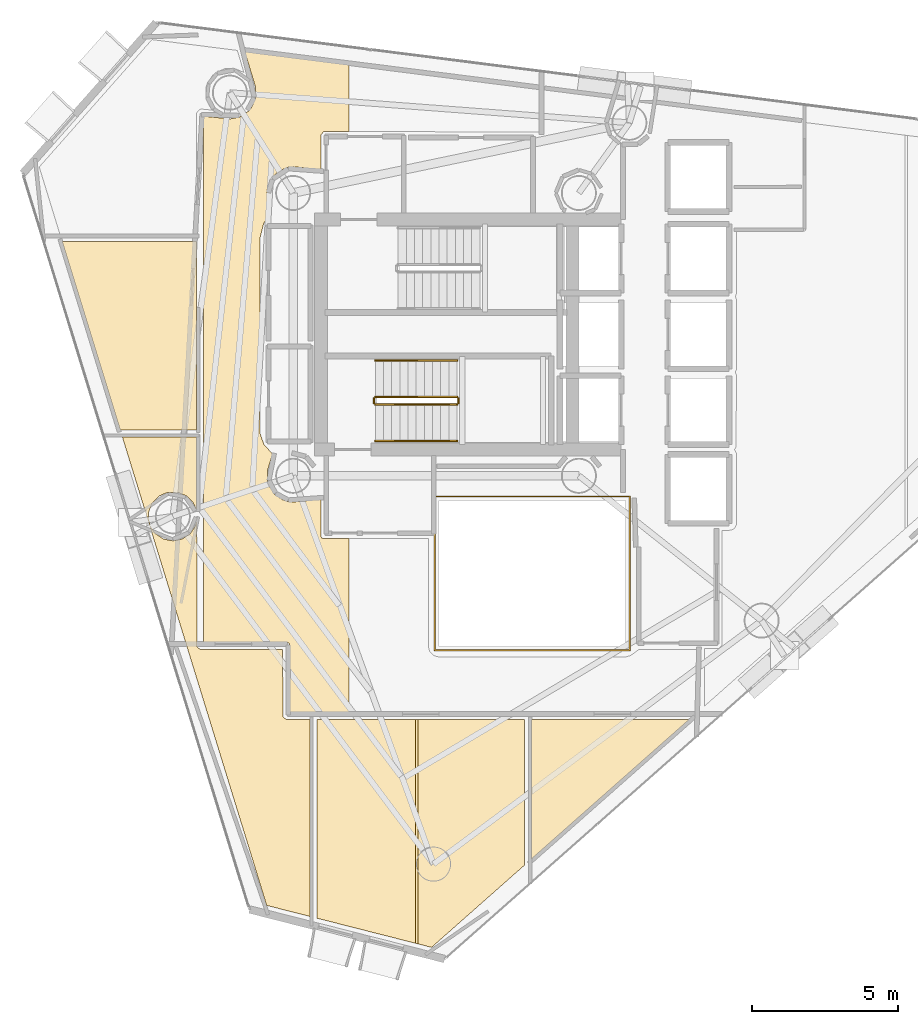
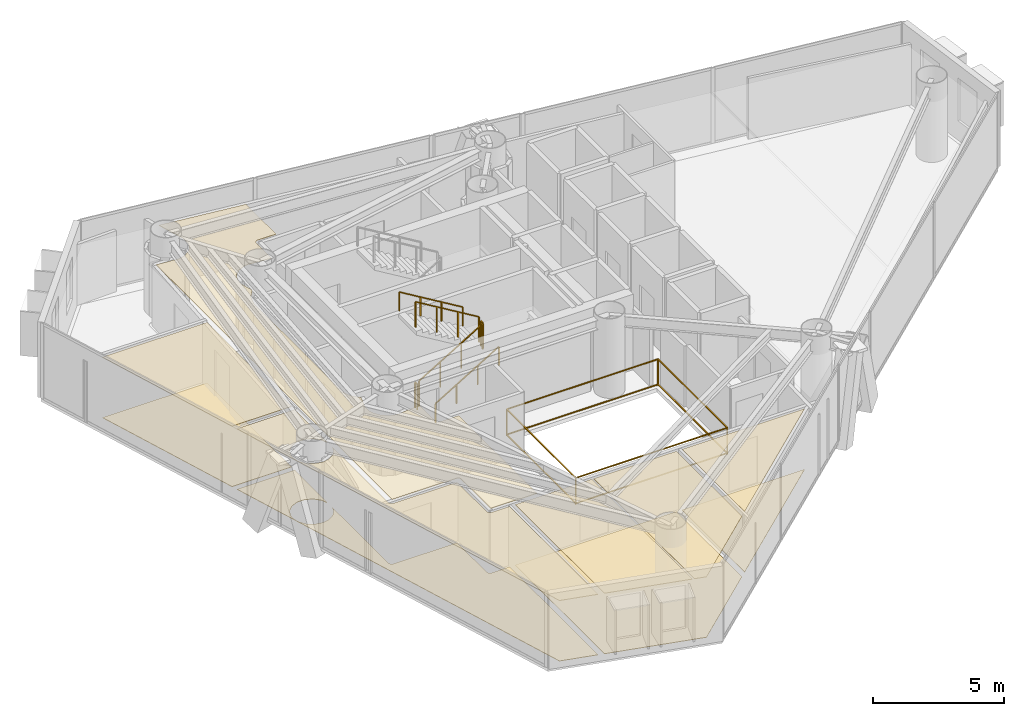
# One storey, part 21 of 23: 10 coverings, 7 railings.
"""IFC4 building model written with IfcOpenShell, lengths in metres."""

from ifc_helpers import new_model, si_unit, direction, frame, origin, origin_2d, place, context, subcontext, project, spatial, polyline, rectangle, outline, extrude, material, layer, layer_set, type_object, element, save


model = new_model("IFC4")

# Units and contexts
model_context = context("Model", 3, precision=1e-05, world=origin(), true_north=direction((0.0, 1.0)))
body_context = subcontext(model_context, "Body", "Model", "MODEL_VIEW")
ifc_project = project(units=[si_unit("LENGTHUNIT", "METRE"), si_unit("AREAUNIT", "SQUARE_METRE"), si_unit("VOLUMEUNIT", "CUBIC_METRE"), si_unit("PLANEANGLEUNIT", "RADIAN"), si_unit("MASSUNIT", "GRAM", prefix="KILO")], contexts=[model_context])

# Site, building, storey
site_placement = place(None, origin())
site = spatial("IfcSite", under=ifc_project, at=site_placement, CompositionType="ELEMENT")
building_placement = place(site_placement, origin())
building = spatial("IfcBuilding", under=site, at=building_placement, Name="Qianvela Tower", CompositionType="ELEMENT")
storey_placement = place(building_placement, frame((0.0, 0.0, 218.800048828125)))
storey = spatial("IfcBuildingStorey", under=building, at=storey_placement, Name="L56", CompositionType="ELEMENT", Elevation=218.800048828125)

# Coverings
ifc_material_1 = material(Name="Perforated Mineral Acoustic Ceiling Tile")
ifc_layer_1 = layer(ifc_material_1, 0.02490234375)
ifc_layer_set_1 = layer_set([ifc_layer_1], Name="Perforated Mineral Acoustic Ceiling Tile")
covering_type_1 = type_object("IfcCoveringType", Name="COV-CEIL-ACOUSTIC-25", PredefinedType="CEILING", material=ifc_layer_set_1)
covering_1_placement = place(storey_placement, frame((0.0, 0.0, 2.81494140625)))
element("IfcCovering", 1, at=covering_1_placement, inside=storey, type_object=covering_type_1, Name="L56 Acoustic Ceiling Bay 1 L56 Floor Corridor", PredefinedType="CEILING", context=body_context, shape_type="SweptSolid", body=[
    extrude(outline(polyline([(27.311767578125, 36.808837890625), (27.313720703125, 36.81640625), (27.31494140625, 36.82421875), (27.315185546875, 36.83203125), (27.315185546875, 37.152099609375), (27.31494140625, 37.159912109375), (27.313720703125, 37.16748046875), (27.311767578125, 37.17529296875), (26.938232421875, 38.40673828125), (30.519287109375, 37.9521484375), (30.519287109375, 35.658447265625), (29.68798828125, 35.660888671875), (29.680419921875, 35.660400390625), (29.672607421875, 35.6591796875), (29.664794921875, 35.657470703125), (29.657470703125, 35.65478515625), (29.650390625, 35.6513671875), (29.6435546875, 35.6474609375), (29.63720703125, 35.642578125), (29.63134765625, 35.637451171875), (29.626220703125, 35.631591796875), (29.576171875, 35.57080078125), (29.571533203125, 35.564453125), (29.5673828125, 35.5576171875), (29.564208984375, 35.550537109375), (29.561279296875, 35.543212890625), (29.5595703125, 35.53564453125), (29.558349609375, 35.52783203125), (29.55810546875, 35.52001953125), (29.55810546875, 34.35595703125), (28.60791015625, 34.44970703125), (28.60009765625, 34.449951171875), (28.59228515625, 34.44970703125), (28.43212890625, 34.433837890625), (28.42431640625, 34.4326171875), (28.416748046875, 34.430908203125), (28.409423828125, 34.42822265625), (28.11376953125, 34.3056640625), (28.106689453125, 34.302490234375), (28.10009765625, 34.29833984375), (28.09375, 34.293701171875), (28.087890625, 34.288330078125), (27.861572265625, 34.06201171875), (27.8564453125, 34.056396484375), (27.851806640625, 34.050048828125), (27.84765625, 34.043212890625), (27.84423828125, 34.0361328125), (27.7216796875, 33.740478515625), (27.71923828125, 33.733154296875), (27.71728515625, 33.7255859375), (27.716064453125, 33.7177734375), (27.700439453125, 33.557861328125), (27.699951171875, 33.550048828125), (27.700439453125, 33.542236328125), (27.716064453125, 33.382080078125), (27.71728515625, 33.37451171875), (27.71923828125, 33.36669921875), (27.865478515625, 32.884521484375), (27.60107421875, 32.52685546875), (27.5966796875, 32.5205078125), (27.593017578125, 32.513427734375), (27.590087890625, 32.50634765625), (27.587890625, 32.4990234375), (27.472412109375, 32.0458984375), (27.47119140625, 32.039306640625), (27.47021484375, 32.03271484375), (27.469970703125, 32.026123046875), (27.469970703125, 25.291259765625), (27.47021484375, 25.2841796875), (27.47119140625, 25.27734375), (27.47265625, 25.2705078125), (27.474853515625, 25.263916015625), (27.59326171875, 24.938232421875), (27.59619140625, 24.93115234375), (27.599853515625, 24.92431640625), (27.604248046875, 24.91796875), (27.609130859375, 24.911865234375), (27.89111328125, 24.599853515625), (27.71923828125, 24.033203125), (27.71728515625, 24.025634765625), (27.716064453125, 24.017822265625), (27.7158203125, 24.010009765625), (27.7158203125, 23.68994140625), (27.716064453125, 23.68212890625), (27.71728515625, 23.67431640625), (27.71923828125, 23.666748046875), (27.765869140625, 23.512939453125), (27.7685546875, 23.505615234375), (27.77197265625, 23.49853515625), (27.77587890625, 23.49169921875), (27.95361328125, 23.2255859375), (27.958251953125, 23.219482421875), (27.963623046875, 23.213623046875), (27.969482421875, 23.208251953125), (27.9755859375, 23.20361328125), (28.24169921875, 23.02587890625), (28.24853515625, 23.02197265625), (28.255615234375, 23.0185546875), (28.262939453125, 23.015869140625), (28.416748046875, 22.96923828125), (28.42431640625, 22.96728515625), (28.43212890625, 22.966064453125), (28.59228515625, 22.950439453125), (28.60009765625, 22.949951171875), (28.60791015625, 22.950439453125), (29.55810546875, 23.0439453125), (29.55810546875, 21.780029296875), (29.558349609375, 21.772216796875), (29.5595703125, 21.764404296875), (29.561279296875, 21.7568359375), (29.564208984375, 21.74951171875), (29.5673828125, 21.7421875), (29.571533203125, 21.735595703125), (29.576171875, 21.729248046875), (29.581298828125, 21.723388671875), (29.587158203125, 21.71826171875), (29.593505859375, 21.71337890625), (29.600341796875, 21.70947265625), (29.607421875, 21.7060546875), (29.61474609375, 21.703369140625), (29.622314453125, 21.701416015625), (29.630126953125, 21.700439453125), (29.637939453125, 21.699951171875), (30.519287109375, 21.699951171875), (30.519287109375, 15.72998046875), (28.47998046875, 15.72998046875), (28.47998046875, 18.050048828125), (28.4794921875, 18.057861328125), (28.478515625, 18.065673828125), (28.4765625, 18.0732421875), (28.473876953125, 18.08056640625), (28.470703125, 18.087646484375), (28.466552734375, 18.094482421875), (28.4619140625, 18.100830078125), (28.45654296875, 18.106689453125), (28.45068359375, 18.11181640625), (28.4443359375, 18.116455078125), (28.437744140625, 18.12060546875), (28.4306640625, 18.123779296875), (28.423095703125, 18.126708984375), (28.41552734375, 18.12841796875), (28.40771484375, 18.129638671875), (28.39990234375, 18.1298828125), (25.530029296875, 18.1298828125), (25.530029296875, 36.180419921875), (26.423095703125, 36.09228515625), (26.430908203125, 36.092041015625), (26.438720703125, 36.09228515625), (26.446533203125, 36.093505859375), (26.760498046875, 36.156005859375), (26.76806640625, 36.157958984375), (26.775390625, 36.160400390625), (26.782470703125, 36.163818359375), (26.789306640625, 36.16796875), (27.055419921875, 36.345703125), (27.0615234375, 36.350341796875), (27.0673828125, 36.355712890625), (27.07275390625, 36.361328125), (27.174560546875, 36.485595703125), (27.17919921875, 36.491943359375), (27.183349609375, 36.498779296875), (27.186767578125, 36.505859375), (27.30908203125, 36.801513671875), (27.311767578125, 36.808837890625)])), origin(), (0.0, 0.0, 1.0), 0.02490234375),
])
covering_2_placement = place(storey_placement, frame((0.0, 0.0, 2.81494140625)))
element("IfcCovering", 2, at=covering_2_placement, inside=storey, type_object=covering_type_1, Name="L56 Acoustic Ceiling Digital Research Office L56-01", PredefinedType="CEILING", context=body_context, shape_type="SweptSolid", body=[
    extrude(outline(polyline([(25.2919921875, 22.706298828125), (25.264892578125, 22.7060546875), (25.177490234375, 22.913330078125), (25.17431640625, 22.92041015625), (25.17041015625, 22.927001953125), (25.165771484375, 22.93310546875), (25.160400390625, 22.938720703125), (24.95068359375, 23.1484375), (24.945068359375, 23.15380859375), (24.938720703125, 23.158447265625), (24.931884765625, 23.16259765625), (24.9248046875, 23.165771484375), (24.65087890625, 23.279296875), (24.6435546875, 23.281982421875), (24.635986328125, 23.283935546875), (24.628173828125, 23.284912109375), (24.620361328125, 23.285400390625), (24.32373046875, 23.285400390625), (24.31591796875, 23.284912109375), (24.30810546875, 23.283935546875), (24.300537109375, 23.281982421875), (24.293212890625, 23.279296875), (24.019287109375, 23.165771484375), (24.01220703125, 23.16259765625), (24.00537109375, 23.158447265625), (23.9990234375, 23.15380859375), (23.9931640625, 23.1484375), (23.783447265625, 22.938720703125), (23.7783203125, 22.93310546875), (23.773681640625, 22.9267578125), (23.76953125, 22.919921875), (23.76611328125, 22.912841796875), (23.652587890625, 22.638916015625), (23.64990234375, 22.631591796875), (23.648193359375, 22.623779296875), (23.64697265625, 22.6162109375), (23.63232421875, 22.4677734375), (23.632080078125, 22.4599609375), (23.63232421875, 22.4521484375), (23.633544921875, 22.4443359375), (23.69140625, 22.153564453125), (23.693359375, 22.14599609375), (23.69580078125, 22.138427734375), (23.69921875, 22.13134765625), (23.703369140625, 22.124755859375), (23.8681640625, 21.878173828125), (23.872802734375, 21.871826171875), (23.8779296875, 21.865966796875), (23.8837890625, 21.86083984375), (23.89013671875, 21.856201171875), (24.13671875, 21.69140625), (24.143310546875, 21.687255859375), (24.150390625, 21.683837890625), (24.157958984375, 21.681396484375), (24.16552734375, 21.679443359375), (24.456298828125, 21.62158203125), (24.464111328125, 21.620361328125), (24.471923828125, 21.6201171875), (24.479736328125, 21.620361328125), (24.487548828125, 21.62158203125), (24.7783203125, 21.679443359375), (24.7861328125, 21.681396484375), (24.79345703125, 21.683837890625), (24.800537109375, 21.687255859375), (24.807373046875, 21.69140625), (25.0537109375, 21.856201171875), (25.060302734375, 21.86083984375), (25.06591796875, 21.865966796875), (25.0712890625, 21.871826171875), (25.075927734375, 21.878173828125), (25.24072265625, 22.124755859375), (25.24462890625, 22.13134765625), (25.248046875, 22.138427734375), (25.25048828125, 22.145751953125), (25.25244140625, 22.1533203125), (25.29248046875, 22.348876953125), (25.296142578125, 18.019287109375), (25.29638671875, 18.011474609375), (25.297607421875, 18.003662109375), (25.299560546875, 17.99609375), (25.30224609375, 17.98876953125), (25.3056640625, 17.981689453125), (25.3095703125, 17.974853515625), (25.314208984375, 17.968505859375), (25.319580078125, 17.962890625), (25.3251953125, 17.95751953125), (25.33154296875, 17.952880859375), (25.405517578125, 17.903564453125), (25.412353515625, 17.8994140625), (25.41943359375, 17.89599609375), (25.4267578125, 17.893310546875), (25.434326171875, 17.8916015625), (25.442138671875, 17.890380859375), (25.449951171875, 17.889892578125), (28.240234375, 17.889892578125), (28.24609375, 15.619140625), (28.24658203125, 15.61083984375), (28.247802734375, 15.602783203125), (28.25, 15.5947265625), (28.2529296875, 15.587158203125), (28.256591796875, 15.57958984375), (28.260986328125, 15.57275390625), (28.266357421875, 15.56640625), (28.272216796875, 15.560302734375), (28.2783203125, 15.55517578125), (28.344482421875, 15.506103515625), (28.3515625, 15.50146484375), (28.359130859375, 15.49755859375), (28.366943359375, 15.494384765625), (28.375244140625, 15.4921875), (28.383544921875, 15.49072265625), (28.39208984375, 15.490478515625), (29.177978515625, 15.489990234375), (29.177978515625, 8.736328125), (27.69140625, 9.1142578125), (22.743408203125, 25.177978515625), (25.2900390625, 25.177978515625), (25.2919921875, 22.706298828125)])), origin(), (0.0, 0.0, 1.0), 0.02490234375),
])
covering_3_placement = place(storey_placement, frame((0.0, 0.0, 2.81494140625)))
element("IfcCovering", 3, at=covering_3_placement, inside=storey, type_object=covering_type_1, Name="L56 Acoustic Ceiling Collaborative Co-working Office L56-02", PredefinedType="CEILING", context=body_context, shape_type="SweptSolid", body=[
    extrude(outline(polyline([(36.77490234375, 10.707275390625), (36.77490234375, 15.489990234375), (42.18603515625, 15.489990234375), (36.77490234375, 10.707275390625)])), origin(), (0.0, 0.0, 1.0), 0.02490234375),
])
covering_4_placement = place(storey_placement, frame((0.0, 0.0, 2.81494140625)))
element("IfcCovering", 4, at=covering_4_placement, inside=storey, type_object=covering_type_1, Name="L56 Acoustic Ceiling Collaborative Co-working Office L56-06", PredefinedType="CEILING", context=body_context, shape_type="SweptSolid", body=[
    extrude(outline(polyline([(25.2900390625, 31.8779296875), (25.2900390625, 25.422119140625), (22.668212890625, 25.422119140625), (20.6796875, 31.8779296875), (25.2900390625, 31.8779296875)])), origin(), (0.0, 0.0, 1.0), 0.02490234375),
])
covering_5_placement = place(storey_placement, frame((0.0, 0.0, 2.81494140625)))
element("IfcCovering", 5, at=covering_5_placement, inside=storey, type_object=covering_type_1, Name="L56 Acoustic Ceiling Bay 1 Quiet Reading Study L56-07", PredefinedType="CEILING", context=body_context, shape_type="SweptSolid", body=[
    extrude(outline(polyline([(29.422119140625, 8.67431640625), (29.422119140625, 15.489990234375), (32.798583984375, 15.489990234375), (32.798583984375, 7.815673828125), (29.422119140625, 8.67431640625)])), origin(), (0.0, 0.0, 1.0), 0.02490234375),
])
covering_6_placement = place(storey_placement, frame((0.0, 0.0, 2.81494140625)))
element("IfcCovering", 6, at=covering_6_placement, inside=storey, type_object=covering_type_1, Name="L56 Acoustic Ceiling Bay 2 Quiet Reading Study L56-07", PredefinedType="CEILING", context=body_context, shape_type="SweptSolid", body=[
    extrude(outline(polyline([(33.34619140625, 7.676513671875), (32.87841796875, 7.79541015625), (32.87841796875, 15.489990234375), (36.531005859375, 15.489990234375), (36.531005859375, 10.49169921875), (33.34619140625, 7.676513671875)])), origin(), (0.0, 0.0, 1.0), 0.02490234375),
])
ifc_material_2 = material(Name="Engineered Acoustic Oak Timber Flooring", Category="wood")
ifc_layer_2 = layer(ifc_material_2, 0.02001953125)
ifc_layer_set_2 = layer_set([ifc_layer_2], Name="Engineered Acoustic Oak Timber Flooring")
covering_type_2 = type_object("IfcCoveringType", Name="COV-FLOOR-OAK-20", PredefinedType="FLOORING", material=ifc_layer_set_2)
covering_7_placement = place(storey_placement, origin())
element("IfcCovering", 7, at=covering_7_placement, inside=storey, type_object=covering_type_2, Name="L56 Finish Flooring Digital Research Office L56-01", PredefinedType="FLOORING", context=body_context, shape_type="SweptSolid", body=[
    extrude(outline(polyline([(25.2919921875, 22.706298828125), (25.264892578125, 22.7060546875), (25.177490234375, 22.913330078125), (25.17431640625, 22.92041015625), (25.17041015625, 22.927001953125), (25.165771484375, 22.93310546875), (25.160400390625, 22.938720703125), (24.95068359375, 23.1484375), (24.945068359375, 23.15380859375), (24.938720703125, 23.158447265625), (24.931884765625, 23.16259765625), (24.9248046875, 23.165771484375), (24.65087890625, 23.279296875), (24.6435546875, 23.281982421875), (24.635986328125, 23.283935546875), (24.628173828125, 23.284912109375), (24.620361328125, 23.285400390625), (24.32373046875, 23.285400390625), (24.31591796875, 23.284912109375), (24.30810546875, 23.283935546875), (24.300537109375, 23.281982421875), (24.293212890625, 23.279296875), (24.019287109375, 23.165771484375), (24.01220703125, 23.16259765625), (24.00537109375, 23.158447265625), (23.9990234375, 23.15380859375), (23.9931640625, 23.1484375), (23.783447265625, 22.938720703125), (23.7783203125, 22.93310546875), (23.773681640625, 22.9267578125), (23.76953125, 22.919921875), (23.76611328125, 22.912841796875), (23.652587890625, 22.638916015625), (23.64990234375, 22.631591796875), (23.648193359375, 22.623779296875), (23.64697265625, 22.6162109375), (23.63232421875, 22.4677734375), (23.632080078125, 22.4599609375), (23.63232421875, 22.4521484375), (23.633544921875, 22.4443359375), (23.69140625, 22.153564453125), (23.693359375, 22.14599609375), (23.69580078125, 22.138427734375), (23.69921875, 22.13134765625), (23.703369140625, 22.124755859375), (23.8681640625, 21.878173828125), (23.872802734375, 21.871826171875), (23.8779296875, 21.865966796875), (23.8837890625, 21.86083984375), (23.89013671875, 21.856201171875), (24.13671875, 21.69140625), (24.143310546875, 21.687255859375), (24.150390625, 21.683837890625), (24.157958984375, 21.681396484375), (24.16552734375, 21.679443359375), (24.456298828125, 21.62158203125), (24.464111328125, 21.620361328125), (24.471923828125, 21.6201171875), (24.479736328125, 21.620361328125), (24.487548828125, 21.62158203125), (24.7783203125, 21.679443359375), (24.7861328125, 21.681396484375), (24.79345703125, 21.683837890625), (24.800537109375, 21.687255859375), (24.807373046875, 21.69140625), (25.0537109375, 21.856201171875), (25.060302734375, 21.86083984375), (25.06591796875, 21.865966796875), (25.0712890625, 21.871826171875), (25.075927734375, 21.878173828125), (25.24072265625, 22.124755859375), (25.24462890625, 22.13134765625), (25.248046875, 22.138427734375), (25.25048828125, 22.145751953125), (25.25244140625, 22.1533203125), (25.29248046875, 22.348876953125), (25.296142578125, 18.019287109375), (25.29638671875, 18.011474609375), (25.297607421875, 18.003662109375), (25.299560546875, 17.99609375), (25.30224609375, 17.98876953125), (25.3056640625, 17.981689453125), (25.3095703125, 17.974853515625), (25.314208984375, 17.968505859375), (25.319580078125, 17.962890625), (25.3251953125, 17.95751953125), (25.33154296875, 17.952880859375), (25.405517578125, 17.903564453125), (25.412353515625, 17.8994140625), (25.41943359375, 17.89599609375), (25.4267578125, 17.893310546875), (25.434326171875, 17.8916015625), (25.442138671875, 17.890380859375), (25.449951171875, 17.889892578125), (28.240234375, 17.889892578125), (28.24609375, 15.619140625), (28.24658203125, 15.61083984375), (28.247802734375, 15.602783203125), (28.25, 15.5947265625), (28.2529296875, 15.587158203125), (28.256591796875, 15.57958984375), (28.260986328125, 15.57275390625), (28.266357421875, 15.56640625), (28.272216796875, 15.560302734375), (28.2783203125, 15.55517578125), (28.344482421875, 15.506103515625), (28.3515625, 15.50146484375), (28.359130859375, 15.49755859375), (28.366943359375, 15.494384765625), (28.375244140625, 15.4921875), (28.383544921875, 15.49072265625), (28.39208984375, 15.490478515625), (29.177978515625, 15.489990234375), (29.177978515625, 8.736328125), (27.69140625, 9.1142578125), (22.743408203125, 25.177978515625), (25.2900390625, 25.177978515625), (25.2919921875, 22.706298828125)])), origin(), (0.0, 0.0, 1.0), 0.02001953125),
])
covering_8_placement = place(storey_placement, origin())
element("IfcCovering", 8, at=covering_8_placement, inside=storey, type_object=covering_type_2, Name="L56 Finish Flooring Collaborative Co-working Office L56-02", PredefinedType="FLOORING", context=body_context, shape_type="SweptSolid", body=[
    extrude(outline(polyline([(36.77490234375, 10.707275390625), (36.77490234375, 15.489990234375), (42.18603515625, 15.489990234375), (36.77490234375, 10.707275390625)])), origin(), (0.0, 0.0, 1.0), 0.02001953125),
])
covering_9_placement = place(storey_placement, origin())
element("IfcCovering", 9, at=covering_9_placement, inside=storey, type_object=covering_type_2, Name="L56 Finish Flooring Collaborative Co-working Office L56-06", PredefinedType="FLOORING", context=body_context, shape_type="SweptSolid", body=[
    extrude(outline(polyline([(25.2900390625, 31.8779296875), (25.2900390625, 25.422119140625), (22.668212890625, 25.422119140625), (20.6796875, 31.8779296875), (25.2900390625, 31.8779296875)])), origin(), (0.0, 0.0, 1.0), 0.02001953125),
])
covering_10_placement = place(storey_placement, origin())
element("IfcCovering", 10, at=covering_10_placement, inside=storey, type_object=covering_type_2, Name="L56 Finish Flooring Quiet Reading Study L56-07", PredefinedType="FLOORING", context=body_context, shape_type="SweptSolid", body=[
    extrude(outline(polyline([(36.531005859375, 10.49169921875), (33.34619140625, 7.676513671875), (29.422119140625, 8.67431640625), (29.422119140625, 15.489990234375), (36.531005859375, 15.489990234375), (36.531005859375, 10.49169921875)])), origin(), (0.0, 0.0, 1.0), 0.02001953125),
])

# Railings
ifc_material_3 = material(Name="Laminated Safety Glass and Stainless Steel 316", Category="steel")
railing_type_1 = type_object("IfcRailingType", Name="RL-ATRIUM-GUARD-1250", PredefinedType="GUARDRAIL", material=ifc_material_3)
railing_1_placement = place(storey_placement, frame((33.4599609375, 17.860107421875, 0.0)))
element("IfcRailing", 11, at=railing_1_placement, inside=storey, type_object=railing_type_1, Name="L56 Atrium Edge Guardrail 1", PredefinedType="GUARDRAIL", context=body_context, shape_type="SweptSolid", body=[
    extrude(rectangle(XDim=0.050048828125, YDim=0.0400390625, at=origin_2d()), frame((0.0, 0.0, 1.22998046875), z_axis=(0.0, 1.0, 0.0), x_axis=(-1.0, 0.0, 0.0)), (0.0, 0.0, 1.0), 5.27978515625),
    extrude(rectangle(XDim=0.050048828125, YDim=0.0400390625, at=origin_2d()), frame((0.0, 0.0, 0.050048828125), z_axis=(0.0, 1.0, 0.0), x_axis=(-1.0, 0.0, 0.0)), (0.0, 0.0, 1.0), 5.27978515625),
    extrude(rectangle(XDim=0.050048828125, YDim=0.0400390625, at=origin_2d()), frame((0.0, 5.27978515625, 1.22998046875), z_axis=(1.0, 0.0, 0.0), x_axis=(0.0, 1.0, 0.0)), (0.0, 0.0, 1.0), 6.679931640625),
    extrude(rectangle(XDim=0.050048828125, YDim=0.0400390625, at=origin_2d()), frame((0.0, 5.27978515625, 0.050048828125), z_axis=(1.0, 0.0, 0.0), x_axis=(0.0, 1.0, 0.0)), (0.0, 0.0, 1.0), 6.679931640625),
    extrude(rectangle(XDim=0.050048828125, YDim=0.0400390625, at=origin_2d()), frame((6.679931640625, 5.27978515625, 1.22998046875), z_axis=(0.0, -1.0, 0.0), x_axis=(1.0, 0.0, 0.0)), (0.0, 0.0, 1.0), 5.27978515625),
    extrude(rectangle(XDim=0.050048828125, YDim=0.0400390625, at=origin_2d()), frame((6.679931640625, 5.27978515625, 0.050048828125), z_axis=(0.0, -1.0, 0.0), x_axis=(1.0, 0.0, 0.0)), (0.0, 0.0, 1.0), 5.27978515625),
    extrude(rectangle(XDim=0.050048828125, YDim=0.0400390625, at=origin_2d()), frame((6.679931640625, 0.0, 1.22998046875), z_axis=(-1.0, 0.0, 0.0), x_axis=(0.0, -1.0, 0.0)), (0.0, 0.0, 1.0), 6.679931640625),
    extrude(rectangle(XDim=0.050048828125, YDim=0.0400390625, at=origin_2d()), frame((6.679931640625, 0.0, 0.050048828125), z_axis=(-1.0, 0.0, 0.0), x_axis=(0.0, -1.0, 0.0)), (0.0, 0.0, 1.0), 6.679931640625),
    extrude(rectangle(XDim=0.050048828125, YDim=0.050048828125, at=origin_2d()), origin(), (0.0, 0.0, 1.0), 1.2099609375),
    extrude(rectangle(XDim=0.050048828125, YDim=0.050048828125, at=origin_2d()), frame((0.0, 5.27978515625, 0.0)), (0.0, 0.0, 1.0), 1.2099609375),
    extrude(rectangle(XDim=0.050048828125, YDim=0.050048828125, at=origin_2d()), frame((6.679931640625, 5.27978515625, 0.0)), (0.0, 0.0, 1.0), 1.2099609375),
    extrude(rectangle(XDim=0.050048828125, YDim=0.050048828125, at=origin_2d()), frame((6.679931640625, 0.0, 0.0)), (0.0, 0.0, 1.0), 1.2099609375),
])
ifc_material_4 = material(Name="Painted Tubular Steel Q355B", Category="steel")
railing_type_2 = type_object("IfcRailingType", Name="RL-STAIR-GUARD-1200", PredefinedType="GUARDRAIL", material=ifc_material_4)
railing_2_placement = place(storey_placement, frame((31.419921875, 26.300048828125, 0.168212890625)))
element("IfcRailing", 12, at=railing_2_placement, inside=storey, type_object=railing_type_2, Name="L56 ST-2 stair guard 1", PredefinedType="GUARDRAIL", context=body_context, shape_type="SweptSolid", body=[
    extrude(rectangle(XDim=0.050048828125, YDim=0.0400390625, at=origin_2d()), frame((0.0, 0.0, 1.179931640625), z_axis=(0.857275202839, 0.0, 0.514858452973), x_axis=(0.0, 1.0, 0.0)), (0.0, 0.0, 1.0), 3.26611328125),
    extrude(rectangle(XDim=0.050048828125, YDim=0.050048828125, at=origin_2d()), origin(), (0.0, 0.0, 1.0), 1.159912109375),
    extrude(rectangle(XDim=0.050048828125, YDim=0.050048828125, at=origin_2d()), frame((0.933349609375, 0.0, 0.560546875)), (0.0, 0.0, 1.0), 1.159912109375),
    extrude(rectangle(XDim=0.050048828125, YDim=0.050048828125, at=origin_2d()), frame((1.86669921875, 0.0, 1.12109375)), (0.0, 0.0, 1.0), 1.159912109375),
    extrude(rectangle(XDim=0.050048828125, YDim=0.050048828125, at=origin_2d()), frame((2.800048828125, 0.0, 1.681640625)), (0.0, 0.0, 1.0), 1.159912109375),
])
railing_3_placement = place(storey_placement, frame((34.27001953125, 26.35009765625, 1.849853515625)))
element("IfcRailing", 13, at=railing_3_placement, inside=storey, type_object=railing_type_2, Name="L56 ST-2 stair guard 2", PredefinedType="GUARDRAIL", context=body_context, shape_type="SweptSolid", body=[
    extrude(rectangle(XDim=0.050048828125, YDim=0.0400390625, at=origin_2d()), frame((0.0, 0.0, 1.179931640625), z_axis=(0.0, 1.0, 0.0), x_axis=(-1.0, 0.0, 0.0)), (0.0, 0.0, 1.0), 0.159912109375),
    extrude(rectangle(XDim=0.050048828125, YDim=0.050048828125, at=origin_2d()), origin(), (0.0, 0.0, 1.0), 1.159912109375),
    extrude(rectangle(XDim=0.050048828125, YDim=0.050048828125, at=origin_2d()), frame((0.0, 0.159912109375, 0.0)), (0.0, 0.0, 1.0), 1.159912109375),
])
railing_4_placement = place(storey_placement, frame((34.219970703125, 26.56005859375, 2.01806640625)))
element("IfcRailing", 14, at=railing_4_placement, inside=storey, type_object=railing_type_2, Name="L56 ST-2 stair guard 3", PredefinedType="GUARDRAIL", context=body_context, shape_type="SweptSolid", body=[
    extrude(rectangle(XDim=0.050048828125, YDim=0.0400390625, at=origin_2d()), frame((0.0, 0.0, 1.179931640625), z_axis=(-0.857242210791, 0.0, 0.514913383045), x_axis=(0.0, -1.0, 0.0)), (0.0, 0.0, 1.0), 3.266357421875),
    extrude(rectangle(XDim=0.050048828125, YDim=0.050048828125, at=origin_2d()), origin(), (0.0, 0.0, 1.0), 1.159912109375),
    extrude(rectangle(XDim=0.050048828125, YDim=0.050048828125, at=origin_2d()), frame((-0.933349609375, 0.0, 0.560546875)), (0.0, 0.0, 1.0), 1.159912109375),
    extrude(rectangle(XDim=0.050048828125, YDim=0.050048828125, at=origin_2d()), frame((-1.86669921875, 0.0, 1.121337890625)), (0.0, 0.0, 1.0), 1.159912109375),
    extrude(rectangle(XDim=0.050048828125, YDim=0.050048828125, at=origin_2d()), frame((-2.800048828125, 0.0, 1.681884765625)), (0.0, 0.0, 1.0), 1.159912109375),
])
railing_5_placement = place(storey_placement, frame((31.3701171875, 26.35009765625, 0.0)))
element("IfcRailing", 15, at=railing_5_placement, inside=storey, type_object=railing_type_2, Name="L56 ST-2 stair guard 4", PredefinedType="GUARDRAIL", context=body_context, shape_type="SweptSolid", body=[
    extrude(rectangle(XDim=0.050048828125, YDim=0.0400390625, at=origin_2d()), frame((0.0, 0.0, 1.179931640625), z_axis=(0.0, 1.0, 0.0), x_axis=(-1.0, 0.0, 0.0)), (0.0, 0.0, 1.0), 0.159912109375),
    extrude(rectangle(XDim=0.050048828125, YDim=0.050048828125, at=origin_2d()), origin(), (0.0, 0.0, 1.0), 1.159912109375),
    extrude(rectangle(XDim=0.050048828125, YDim=0.050048828125, at=origin_2d()), frame((0.0, 0.159912109375, 0.0)), (0.0, 0.0, 1.0), 1.159912109375),
])
ifc_material_5 = material(Name="Brushed Stainless Steel 304", Category="steel")
railing_type_3 = type_object("IfcRailingType", Name="RL-STAIR-HANDRAIL-900", PredefinedType="HANDRAIL", material=ifc_material_5)
railing_6_placement = place(storey_placement, frame((31.419921875, 25.050048828125, 0.168212890625)))
element("IfcRailing", 16, at=railing_6_placement, inside=storey, type_object=railing_type_3, Name="L56 ST-2 stair handrail 1", PredefinedType="HANDRAIL", context=body_context, shape_type="SweptSolid", body=[
    extrude(rectangle(XDim=0.050048828125, YDim=0.0400390625, at=origin_2d()), frame((0.0, 0.0, 0.8798828125), z_axis=(0.857275202839, 0.0, 0.514858452973), x_axis=(0.0, 1.0, 0.0)), (0.0, 0.0, 1.0), 3.26611328125),
    extrude(rectangle(XDim=0.050048828125, YDim=0.050048828125, at=origin_2d()), origin(), (0.0, 0.0, 1.0), 0.85986328125),
    extrude(rectangle(XDim=0.050048828125, YDim=0.050048828125, at=origin_2d()), frame((0.933349609375, 0.0, 0.560546875)), (0.0, 0.0, 1.0), 0.85986328125),
    extrude(rectangle(XDim=0.050048828125, YDim=0.050048828125, at=origin_2d()), frame((1.86669921875, 0.0, 1.12109375)), (0.0, 0.0, 1.0), 0.85986328125),
    extrude(rectangle(XDim=0.050048828125, YDim=0.050048828125, at=origin_2d()), frame((2.800048828125, 0.0, 1.681640625)), (0.0, 0.0, 1.0), 0.85986328125),
])
railing_7_placement = place(storey_placement, frame((34.219970703125, 27.81005859375, 2.01806640625)))
element("IfcRailing", 17, at=railing_7_placement, inside=storey, type_object=railing_type_3, Name="L56 ST-2 stair handrail 2", PredefinedType="HANDRAIL", context=body_context, shape_type="SweptSolid", body=[
    extrude(rectangle(XDim=0.050048828125, YDim=0.0400390625, at=origin_2d()), frame((0.0, 0.0, 0.8798828125), z_axis=(-0.857242210791, 0.0, 0.514913383045), x_axis=(0.0, -1.0, 0.0)), (0.0, 0.0, 1.0), 3.266357421875),
    extrude(rectangle(XDim=0.050048828125, YDim=0.050048828125, at=origin_2d()), origin(), (0.0, 0.0, 1.0), 0.85986328125),
    extrude(rectangle(XDim=0.050048828125, YDim=0.050048828125, at=origin_2d()), frame((-0.933349609375, 0.0, 0.560546875)), (0.0, 0.0, 1.0), 0.85986328125),
    extrude(rectangle(XDim=0.050048828125, YDim=0.050048828125, at=origin_2d()), frame((-1.86669921875, 0.0, 1.121337890625)), (0.0, 0.0, 1.0), 0.85986328125),
    extrude(rectangle(XDim=0.050048828125, YDim=0.050048828125, at=origin_2d()), frame((-2.800048828125, 0.0, 1.681884765625)), (0.0, 0.0, 1.0), 0.85986328125),
])

save(model, "model.ifc")
